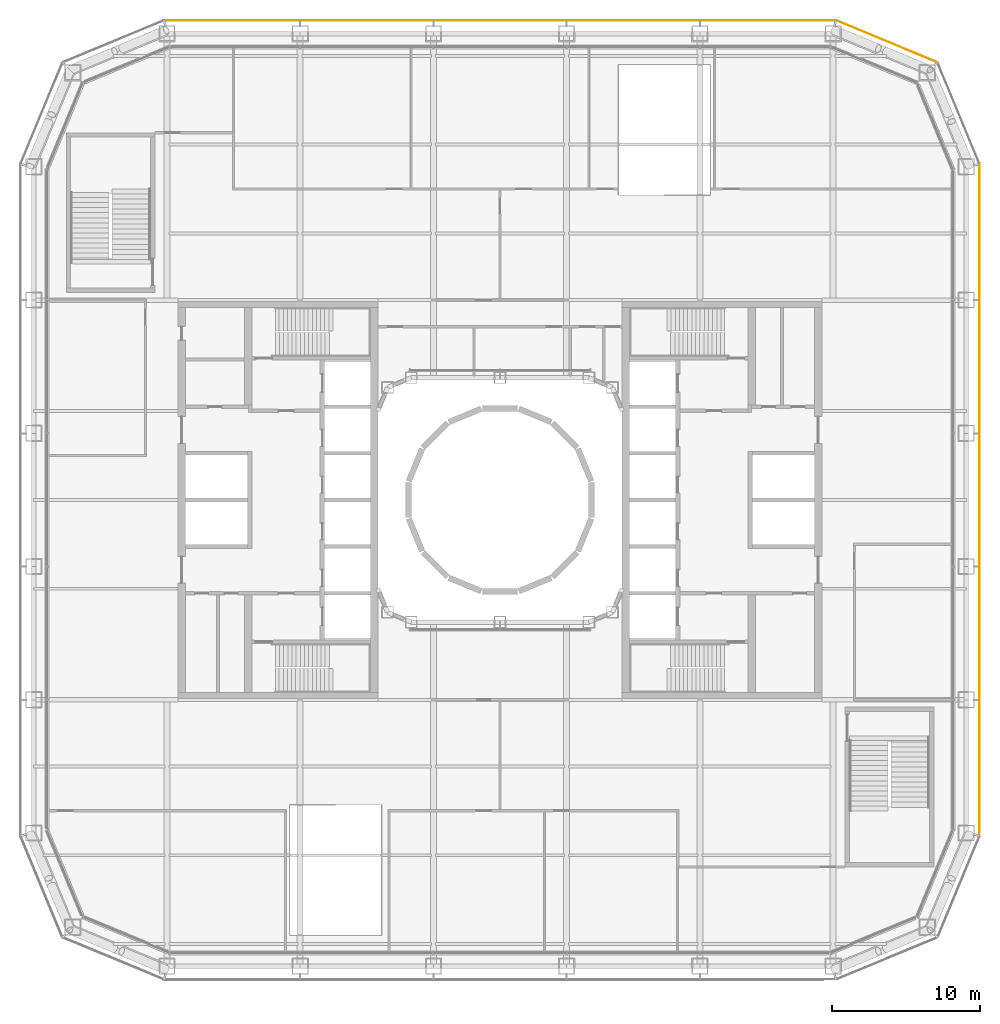
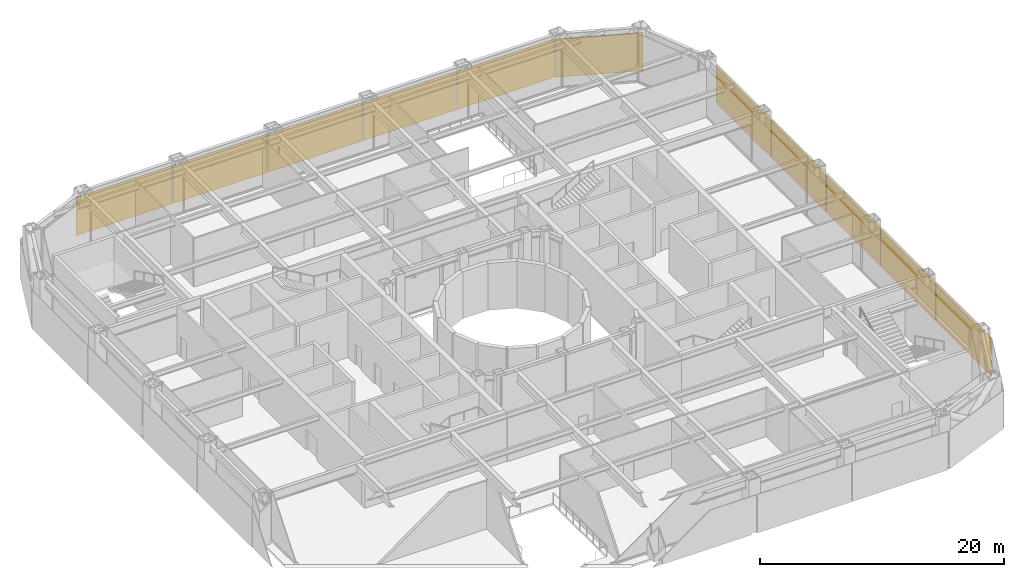
# One storey, part 24 of 24: 11 coverings.
"""IFC4 building model written with IfcOpenShell, lengths in metres."""

from ifc_helpers import new_model, si_unit, direction, frame, origin, origin_2d, place, context, subcontext, project, spatial, rectangle, extrude, material, layer, layer_set, type_object, element, save


model = new_model("IFC4")

# Units and contexts
model_context = context("Model", 3, precision=1e-05, world=origin(), true_north=direction((0.0, 1.0)))
body_context = subcontext(model_context, "Body", "Model", "MODEL_VIEW")
ifc_project = project(units=[si_unit("LENGTHUNIT", "METRE"), si_unit("AREAUNIT", "SQUARE_METRE"), si_unit("VOLUMEUNIT", "CUBIC_METRE"), si_unit("PLANEANGLEUNIT", "RADIAN"), si_unit("MASSUNIT", "GRAM", prefix="KILO")], contexts=[model_context])

# Site, building, storey
site_placement = place(None, origin())
site = spatial("IfcSite", under=ifc_project, at=site_placement, CompositionType="ELEMENT")
building_placement = place(site_placement, origin())
building = spatial("IfcBuilding", under=site, at=building_placement, Name="Siwar Civic Tower", CompositionType="ELEMENT")
storey_placement = place(building_placement, frame((0.0, 0.0, 12.199951171875)))
storey = spatial("IfcBuildingStorey", under=building, at=storey_placement, Name="L02", CompositionType="ELEMENT", Elevation=12.199951171875)

# Coverings
ifc_material = material(Name="Perforated aluminium cassette, pale metal", Category="aluminium")
ifc_layer = layer(ifc_material, 0.0400390625)
ifc_layer_set = layer_set([ifc_layer], Name="Perforated aluminium cassette, pale metal")
covering_type = type_object("IfcCoveringType", Name="ENV-OUTER SKIN OS-1", PredefinedType="CLADDING", material=ifc_layer_set)
covering_1_placement = place(storey_placement, frame((32.39990234375, -18.07958984375, -0.199951171875), z_axis=(0.0, 0.0, 1.0), x_axis=(0.0, 1.0, 0.0)))
element("IfcCovering", 1, at=covering_1_placement, inside=storey, type_object=covering_type, Name="OUTER SKIN OS-1 E 1", PredefinedType="CLADDING", context=body_context, shape_type="SweptSolid", body=[
    extrude(rectangle(XDim=9.05908203125, YDim=0.0400390625, at=origin_2d()), origin(), (0.0, 0.0, 1.0), 3.85009765625),
])
for number, where, z_axis, x_axis, name in (
    (2, (32.39990234375, -9.0, -0.199951171875), (0.0, 0.0, 1.0), (0.0, 1.0, 0.0), "OUTER SKIN OS-1 E 2"),
    (3, (32.39990234375, 0.0, -0.199951171875), (0.0, 0.0, 1.0), (0.0, 1.0, 0.0), "OUTER SKIN OS-1 E 3"),
    (4, (32.39990234375, 9.0, -0.199951171875), (0.0, 0.0, 1.0), (0.0, 1.0, 0.0), "OUTER SKIN OS-1 E 4"),
):
    element("IfcCovering", number, at=place(storey_placement, frame(where, z_axis=z_axis, x_axis=x_axis)), inside=storey, type_object=covering_type, Name=name, PredefinedType="CLADDING", context=body_context, shape_type="SweptSolid", body=[
        extrude(rectangle(XDim=8.89990234375, YDim=0.0400390625, at=origin_2d()), origin(), (0.0, 0.0, 1.0), 3.85009765625),
    ])
covering_2_placement = place(storey_placement, frame((32.39990234375, 18.07958984375, -0.199951171875), z_axis=(0.0, 0.0, 1.0), x_axis=(0.0, 1.0, 0.0)))
element("IfcCovering", 5, at=covering_2_placement, inside=storey, type_object=covering_type, Name="OUTER SKIN OS-1 E 5", PredefinedType="CLADDING", context=body_context, shape_type="SweptSolid", body=[
    extrude(rectangle(XDim=9.05908203125, YDim=0.0400390625, at=origin_2d()), origin(), (0.0, 0.0, 1.0), 3.85009765625),
])
covering_3_placement = place(storey_placement, frame((26.115966796875, 30.976318359375, -0.199951171875), z_axis=(0.0, 0.0, 1.0), x_axis=(-0.923879532511, 0.382683432365, 0.0)))
element("IfcCovering", 6, at=covering_3_placement, inside=storey, type_object=covering_type, Name="OUTER SKIN OS-1 NE2 1", PredefinedType="CLADDING", context=body_context, shape_type="SweptSolid", body=[
    extrude(rectangle(XDim=7.300048828125, YDim=0.0400390625, at=origin_2d()), origin(), (0.0, 0.0, 1.0), 3.85009765625),
])
covering_4_placement = place(storey_placement, frame((18.07958984375, 32.39990234375, -0.199951171875), z_axis=(0.0, 0.0, 1.0), x_axis=(-1.0, 0.0, 0.0)))
element("IfcCovering", 7, at=covering_4_placement, inside=storey, type_object=covering_type, Name="OUTER SKIN OS-1 N 1", PredefinedType="CLADDING", context=body_context, shape_type="SweptSolid", body=[
    extrude(rectangle(XDim=9.05908203125, YDim=0.0400390625, at=origin_2d()), origin(), (0.0, 0.0, 1.0), 3.85009765625),
])
for number, where, z_axis, x_axis, name in (
    (8, (9.0, 32.39990234375, -0.199951171875), (0.0, 0.0, 1.0), (-1.0, 0.0, 0.0), "OUTER SKIN OS-1 N 2"),
    (9, (0.0, 32.39990234375, -0.199951171875), (0.0, 0.0, 1.0), (-1.0, 0.0, 0.0), "OUTER SKIN OS-1 N 3"),
    (10, (-9.0, 32.39990234375, -0.199951171875), (0.0, 0.0, 1.0), (-1.0, 0.0, 0.0), "OUTER SKIN OS-1 N 4"),
):
    element("IfcCovering", number, at=place(storey_placement, frame(where, z_axis=z_axis, x_axis=x_axis)), inside=storey, type_object=covering_type, Name=name, PredefinedType="CLADDING", context=body_context, shape_type="SweptSolid", body=[
        extrude(rectangle(XDim=8.89990234375, YDim=0.0400390625, at=origin_2d()), origin(), (0.0, 0.0, 1.0), 3.85009765625),
    ])
covering_5_placement = place(storey_placement, frame((-18.07958984375, 32.39990234375, -0.199951171875), z_axis=(0.0, 0.0, 1.0), x_axis=(-1.0, 0.0, 0.0)))
element("IfcCovering", 11, at=covering_5_placement, inside=storey, type_object=covering_type, Name="OUTER SKIN OS-1 N 5", PredefinedType="CLADDING", context=body_context, shape_type="SweptSolid", body=[
    extrude(rectangle(XDim=9.05908203125, YDim=0.0400390625, at=origin_2d()), origin(), (0.0, 0.0, 1.0), 3.85009765625),
])

save(model, "model.ifc")
